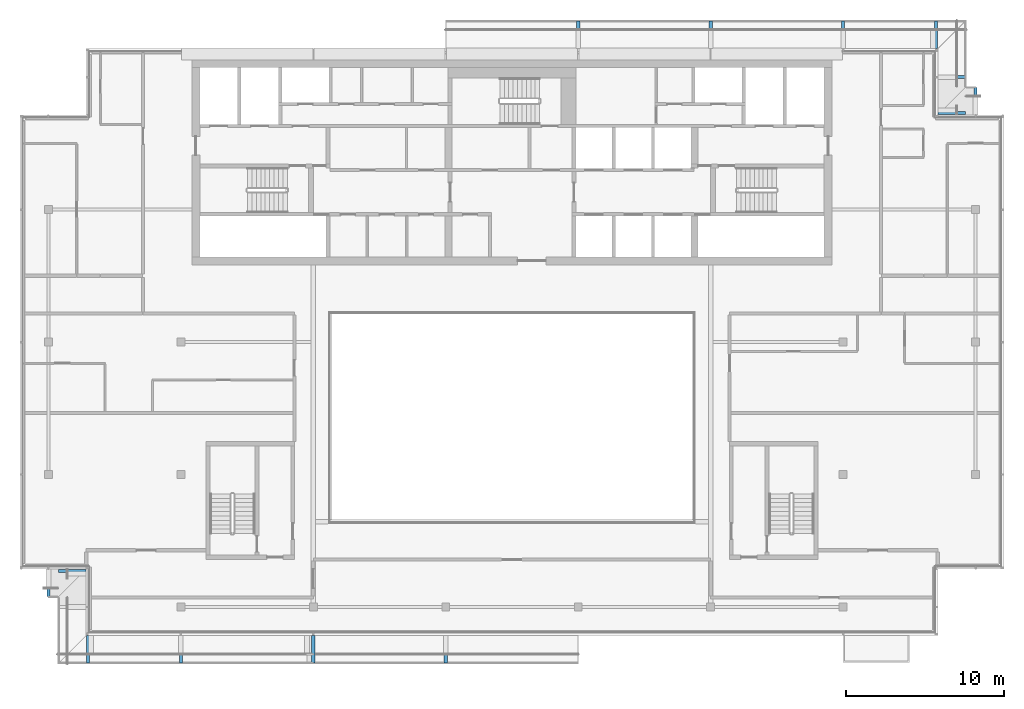
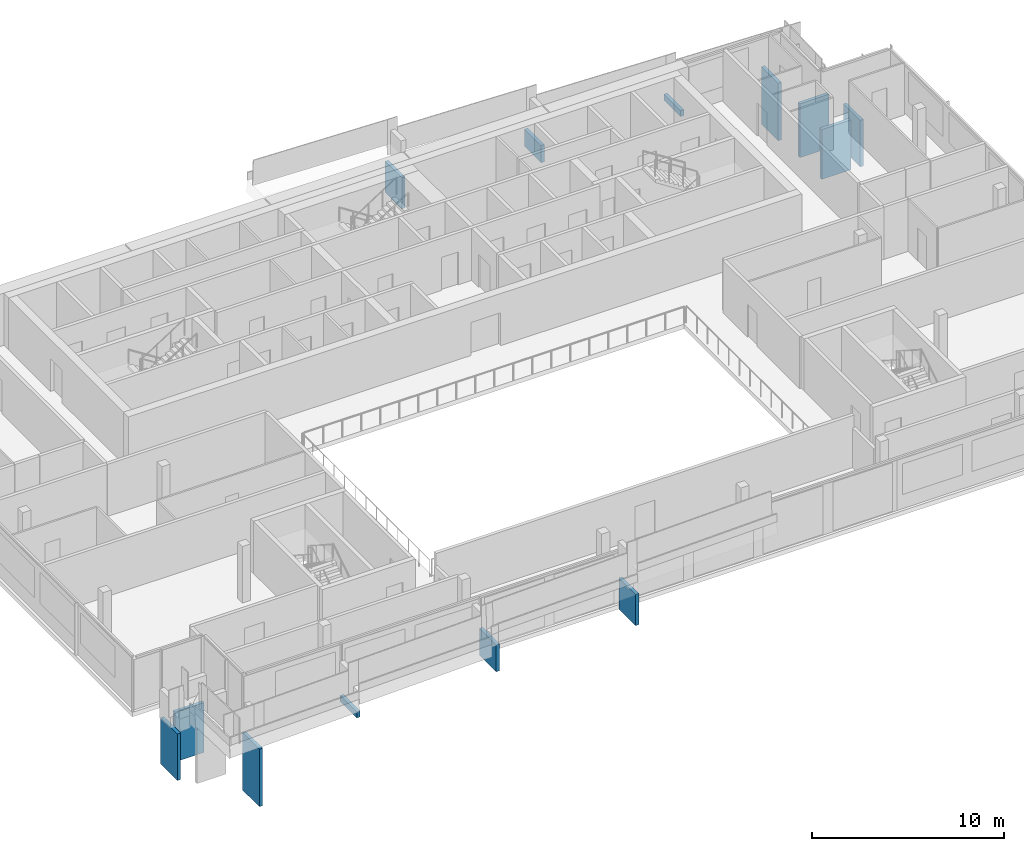
# One storey, part 17 of 22: 13 discrete accessories.
"""IFC4 building model written with IfcOpenShell, lengths in metres."""

from ifc_helpers import new_model, si_unit, direction, frame, origin, origin_2d, place, context, subcontext, project, spatial, rectangle, extrude, element, save


model = new_model("IFC4")

# Units and contexts
model_context = context("Model", 3, precision=1e-05, world=origin(), true_north=direction((0.0, 1.0)))
body_context = subcontext(model_context, "Body", "Model", "MODEL_VIEW")
ifc_project = project(units=[si_unit("LENGTHUNIT", "METRE"), si_unit("AREAUNIT", "SQUARE_METRE"), si_unit("VOLUMEUNIT", "CUBIC_METRE"), si_unit("PLANEANGLEUNIT", "RADIAN"), si_unit("MASSUNIT", "GRAM", prefix="KILO")], contexts=[model_context])

# Site, building, storey
site_placement = place(None, origin())
site = spatial("IfcSite", under=ifc_project, at=site_placement, CompositionType="ELEMENT")
building_placement = place(site_placement, origin())
building = spatial("IfcBuilding", under=site, at=building_placement, Name="Saffron Gate Tower", CompositionType="ELEMENT")
storey_placement = place(building_placement, frame((0.0, 0.0, 295.949951171875)))
storey = spatial("IfcBuildingStorey", under=building, at=storey_placement, Name="L72", CompositionType="ELEMENT", Elevation=295.949951171875)

# Discrete accessories
discrete_accessory_1_placement = place(storey_placement, frame((117.0, 72.27490234375, -3.8798828125), z_axis=(0.0, 0.0, 1.0), x_axis=(-1.0, 0.0, 0.0)))
element("IfcDiscreteAccessory", 1, at=discrete_accessory_1_placement, inside=storey, Name="LEDGE rib", PredefinedType="BRACKET", context=body_context, shape_type="SweptSolid", body=[
    extrude(rectangle(XDim=0.199951171875, YDim=1.75, at=origin_2d()), origin(), (0.0, 0.0, 1.0), 2.96435546875),
])
discrete_accessory_2_placement = place(storey_placement, frame((115.47509765625, 71.52001953125, -3.8798828125), z_axis=(0.0, 0.0, 1.0), x_axis=(0.0, 1.0, 0.0)))
element("IfcDiscreteAccessory", 2, at=discrete_accessory_2_placement, inside=storey, Name="LEDGE rib", PredefinedType="BRACKET", context=body_context, shape_type="SweptSolid", body=[
    extrude(rectangle(XDim=0.199951171875, YDim=1.75, at=origin_2d()), origin(), (0.0, 0.0, 1.0), 3.173828125),
])
discrete_accessory_3_placement = place(storey_placement, frame((115.47509765625, 73.800048828125, -3.8798828125), z_axis=(0.0, 0.0, 1.0), x_axis=(0.0, 1.0, 0.0)))
element("IfcDiscreteAccessory", 3, at=discrete_accessory_3_placement, inside=storey, Name="LEDGE rib", PredefinedType="BRACKET", context=body_context, shape_type="SweptSolid", body=[
    extrude(rectangle(XDim=0.199951171875, YDim=1.75, at=origin_2d()), origin(), (0.0, 0.0, 1.0), 3.429931640625),
])
discrete_accessory_4_placement = place(storey_placement, frame((114.47998046875, 76.47509765625, -3.8798828125), z_axis=(0.0, 0.0, 1.0), x_axis=(-1.0, 0.0, 0.0)))
element("IfcDiscreteAccessory", 4, at=discrete_accessory_4_placement, inside=storey, Name="LEDGE rib", PredefinedType="BRACKET", context=body_context, shape_type="SweptSolid", body=[
    extrude(rectangle(XDim=0.199951171875, YDim=1.75, at=origin_2d()), origin(), (0.0, 0.0, 1.0), 3.668701171875),
])
discrete_accessory_5_placement = place(storey_placement, frame((108.60009765625, 76.47509765625, -0.280029296875), z_axis=(0.0, 0.0, 1.0), x_axis=(-1.0, 0.0, 0.0)))
element("IfcDiscreteAccessory", 5, at=discrete_accessory_5_placement, inside=storey, Name="LEDGE rib", PredefinedType="BRACKET", context=body_context, shape_type="SweptSolid", body=[
    extrude(rectangle(XDim=0.199951171875, YDim=1.75, at=origin_2d()), origin(), (0.0, 0.0, 1.0), 0.3818359375),
])
discrete_accessory_6_placement = place(storey_placement, frame((100.199951171875, 76.47509765625, -0.280029296875), z_axis=(0.0, 0.0, 1.0), x_axis=(-1.0, 0.0, 0.0)))
element("IfcDiscreteAccessory", 6, at=discrete_accessory_6_placement, inside=storey, Name="LEDGE rib", PredefinedType="BRACKET", context=body_context, shape_type="SweptSolid", body=[
    extrude(rectangle(XDim=0.199951171875, YDim=1.75, at=origin_2d()), origin(), (0.0, 0.0, 1.0), 1.09130859375),
])
discrete_accessory_7_placement = place(storey_placement, frame((91.800048828125, 76.47509765625, -0.280029296875), z_axis=(0.0, 0.0, 1.0), x_axis=(-1.0, 0.0, 0.0)))
element("IfcDiscreteAccessory", 7, at=discrete_accessory_7_placement, inside=storey, Name="LEDGE rib", PredefinedType="BRACKET", context=body_context, shape_type="SweptSolid", body=[
    extrude(rectangle(XDim=0.199951171875, YDim=1.75, at=origin_2d()), origin(), (0.0, 0.0, 1.0), 1.98779296875),
])
discrete_accessory_8_placement = place(storey_placement, frame((58.199951171875, 41.72509765625, -3.8798828125), z_axis=(0.0, 0.0, 1.0), x_axis=(1.0, 0.0, 0.0)))
element("IfcDiscreteAccessory", 8, at=discrete_accessory_8_placement, inside=storey, Name="LEDGE rib", PredefinedType="BRACKET", context=body_context, shape_type="SweptSolid", body=[
    extrude(rectangle(XDim=0.199951171875, YDim=1.75, at=origin_2d()), origin(), (0.0, 0.0, 1.0), 2.96435546875),
])
discrete_accessory_9_placement = place(storey_placement, frame((59.72509765625, 42.47998046875, -3.8798828125), z_axis=(0.0, 0.0, 1.0), x_axis=(0.0, -1.0, 0.0)))
element("IfcDiscreteAccessory", 9, at=discrete_accessory_9_placement, inside=storey, Name="LEDGE rib", PredefinedType="BRACKET", context=body_context, shape_type="SweptSolid", body=[
    extrude(rectangle(XDim=0.199951171875, YDim=1.75, at=origin_2d()), origin(), (0.0, 0.0, 1.0), 3.173828125),
])
discrete_accessory_10_placement = place(storey_placement, frame((60.719970703125, 37.52490234375, -3.8798828125), z_axis=(0.0, 0.0, 1.0), x_axis=(1.0, 0.0, 0.0)))
element("IfcDiscreteAccessory", 10, at=discrete_accessory_10_placement, inside=storey, Name="LEDGE rib", PredefinedType="BRACKET", context=body_context, shape_type="SweptSolid", body=[
    extrude(rectangle(XDim=0.199951171875, YDim=1.75, at=origin_2d()), origin(), (0.0, 0.0, 1.0), 3.668701171875),
])
discrete_accessory_11_placement = place(storey_placement, frame((66.60009765625, 37.52490234375, -0.280029296875), z_axis=(0.0, 0.0, 1.0), x_axis=(1.0, 0.0, 0.0)))
element("IfcDiscreteAccessory", 11, at=discrete_accessory_11_placement, inside=storey, Name="LEDGE rib", PredefinedType="BRACKET", context=body_context, shape_type="SweptSolid", body=[
    extrude(rectangle(XDim=0.199951171875, YDim=1.75, at=origin_2d()), origin(), (0.0, 0.0, 1.0), 0.3818359375),
])
discrete_accessory_12_placement = place(storey_placement, frame((75.0, 37.52490234375, -0.27978515625), z_axis=(0.0, 0.0, 1.0), x_axis=(1.0, 0.0, 0.0)))
element("IfcDiscreteAccessory", 12, at=discrete_accessory_12_placement, inside=storey, Name="LEDGE rib", PredefinedType="BRACKET", context=body_context, shape_type="SweptSolid", body=[
    extrude(rectangle(XDim=0.199951171875, YDim=1.75, at=origin_2d()), origin(), (0.0, 0.0, 1.0), 1.714599609375),
])
discrete_accessory_13_placement = place(storey_placement, frame((83.39990234375, 37.52490234375, -0.280029296875), z_axis=(0.0, 0.0, 1.0), x_axis=(1.0, 0.0, 0.0)))
element("IfcDiscreteAccessory", 13, at=discrete_accessory_13_placement, inside=storey, Name="LEDGE rib", PredefinedType="BRACKET", context=body_context, shape_type="SweptSolid", body=[
    extrude(rectangle(XDim=0.199951171875, YDim=1.75, at=origin_2d()), origin(), (0.0, 0.0, 1.0), 1.98779296875),
])

save(model, "model.ifc")
